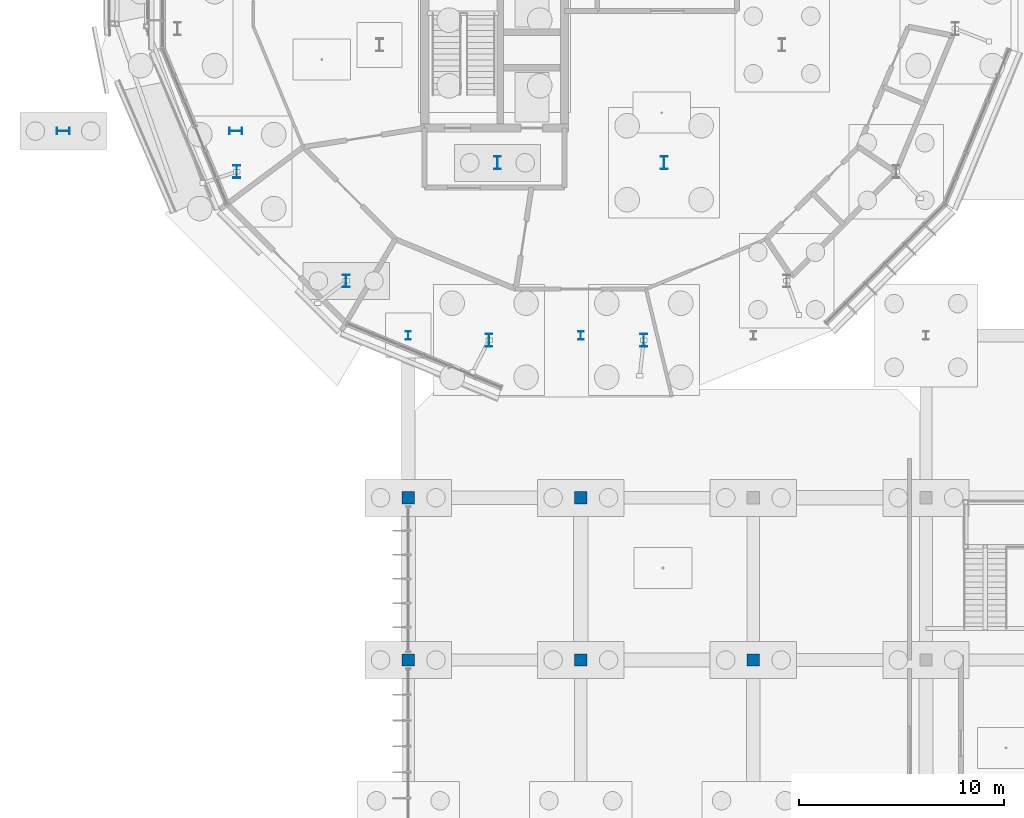
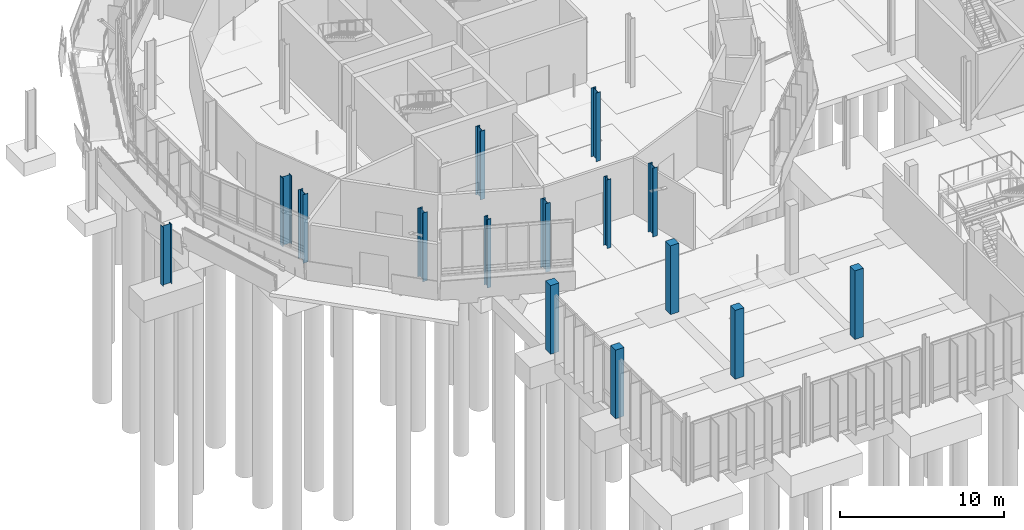
# One storey, part 11 of 119: 15 columns.
"""IFC4 building model written with IfcOpenShell, lengths in metres."""

from ifc_helpers import new_model, si_unit, derived_unit, direction, frame, origin, origin_2d, place, context, subcontext, project, spatial, rectangle, i_section, extrude, material, material_profile, profile_set, type_object, element, save


model = new_model("IFC4")

# Units and contexts
model_context = context("Model", 3, precision=1e-05, world=origin(), true_north=direction((0.0, 1.0)))
body_context = subcontext(model_context, "Body", "Model", "MODEL_VIEW")
ifc_project = project(units=[si_unit("LENGTHUNIT", "METRE"), si_unit("AREAUNIT", "SQUARE_METRE"), si_unit("VOLUMEUNIT", "CUBIC_METRE"), si_unit("PLANEANGLEUNIT", "RADIAN"), si_unit("MASSUNIT", "GRAM", prefix="KILO"), derived_unit("THERMALTRANSMITTANCEUNIT", [(si_unit("MASSUNIT", "GRAM", prefix="KILO"), 1), (si_unit("TIMEUNIT", "SECOND"), -3), (si_unit("THERMODYNAMICTEMPERATUREUNIT", "KELVIN"), -1)])], contexts=[model_context])

# Site, building, storey
site_placement = place(None, origin())
site = spatial("IfcSite", under=ifc_project, at=site_placement, CompositionType="ELEMENT")
building_placement = place(site_placement, origin())
building = spatial("IfcBuilding", under=site, at=building_placement, Name="Makaiwela Harbour Ferry Terminal", CompositionType="ELEMENT")
storey_placement = place(building_placement, origin())
storey = spatial("IfcBuildingStorey", under=building, at=storey_placement, Name="L00", CompositionType="ELEMENT", Elevation=0.0)

# Columns
ifc_material_1 = material(Name="Concrete f'c 45 MPa (6500 psi)", Category="concrete")
ifc_material_profile_1 = material_profile(ifc_material_1, rectangle(XDim=0.60009765625, YDim=0.60009765625, at=origin_2d()), Name="RC-600X600")
ifc_profile_set_1 = profile_set([ifc_material_profile_1], Name="Concrete f'c 45 MPa (6500 psi)")
column_type_1 = type_object("IfcColumnType", Name="STR-COL-RC600", PredefinedType="COLUMN", material=ifc_profile_set_1)
for number, where, z_axis, x_axis, name in (
    (1, (29.39990234375, 33.60009765625, 0.0), (0.0, 0.0, 1.0), (1.0, 0.0, 0.0), "Structural Column C-09"),
    (2, (29.39990234375, 41.5, 0.0), (0.0, 0.0, 1.0), (1.0, 0.0, 0.0), "Structural Column C-09"),
    (3, (37.800048828125, 33.60009765625, 0.0), (0.0, 0.0, 1.0), (1.0, 0.0, 0.0), "Structural Column C-09"),
    (4, (37.800048828125, 41.5, 0.0), (0.0, 0.0, 1.0), (1.0, 0.0, 0.0), "Structural Column C-09"),
    (5, (46.199951171875, 33.60009765625, 0.0), (0.0, 0.0, 1.0), (1.0, 0.0, 0.0), "Structural Column C-09"),
):
    element("IfcColumn", number, at=place(storey_placement, frame(where, z_axis=z_axis, x_axis=x_axis)), inside=storey, type_object=column_type_1, Name=name, PredefinedType="COLUMN", context=body_context, shape_type="SweptSolid", body=[
        extrude(rectangle(XDim=0.60009765625, YDim=0.60009765625, at=origin_2d()), origin(), (0.0, 0.0, 1.0), 5.10009765625),
    ])
ifc_material_2 = material(Name="Steel ASTM A992 Grade 50", Category="steel")
ifc_material_profile_2 = material_profile(ifc_material_2, i_section(OverallWidth=0.264892578125, OverallDepth=0.430908203125, WebThickness=0.014892578125, FlangeThickness=0.02490234375, at=origin_2d()), Name="W16X100")
ifc_profile_set_2 = profile_set([ifc_material_profile_2], Name="Steel ASTM A992 Grade 50")
column_type_2 = type_object("IfcColumnType", Name="STR-COL-W16X100", PredefinedType="COLUMN", material=ifc_profile_set_2)
for number, where, z_axis, x_axis, name in (
    (6, (29.39990234375, 49.39990234375, 0.0), (0.0, 0.0, 1.0), (1.0, 0.0, 0.0), "Structural Column C-03"),
    (7, (37.800048828125, 49.39990234375, 0.0), (0.0, 0.0, 1.0), (1.0, 0.0, 0.0), "Structural Column C-03"),
):
    element("IfcColumn", number, at=place(storey_placement, frame(where, z_axis=z_axis, x_axis=x_axis)), inside=storey, type_object=column_type_2, Name=name, PredefinedType="COLUMN", context=body_context, shape_type="SweptSolid", body=[
        extrude(i_section(OverallWidth=0.264892578125, OverallDepth=0.430908203125, WebThickness=0.014892578125, FlangeThickness=0.02490234375, at=origin_2d()), origin(), (0.0, 0.0, 1.0), 5.10009765625),
    ])
ifc_material_profile_3 = material_profile(ifc_material_2, i_section(OverallWidth=0.327880859375, OverallDepth=0.6279296875, WebThickness=0.0166015625, FlangeThickness=0.027587890625, at=origin_2d()), Name="W24X146")
ifc_profile_set_3 = profile_set([ifc_material_profile_3], Name="Steel ASTM A992 Grade 50")
column_type_3 = type_object("IfcColumnType", Name="STR-COL-W24X146", PredefinedType="COLUMN", material=ifc_profile_set_3)
for number, where, z_axis, x_axis, name in (
    (8, (33.74365234375, 57.806884765625, 0.0), (0.0, 0.0, 1.0), (1.0, 0.0, 0.0), "Structural Column C-01"),
    (9, (41.8564453125, 57.806884765625, 0.0), (0.0, 0.0, 1.0), (1.0, 0.0, 0.0), "Structural Column C-01"),
    (10, (21.052490234375, 57.37744140625, 0.0), (0.0, 0.0, 1.0), (1.0, 0.0, 0.0), "Structural Column C-01"),
    (11, (26.37744140625, 52.052490234375, 0.0), (0.0, 0.0, 1.0), (1.0, 0.0, 0.0), "Structural Column C-01"),
    (12, (33.334716796875, 49.1708984375, 0.0), (0.0, 0.0, 1.0), (1.0, 0.0, 0.0), "Structural Column C-01"),
    (13, (40.865234375, 49.1708984375, 0.0), (0.0, 0.0, 1.0), (1.0, 0.0, 0.0), "Structural Column C-01"),
    (14, (21.0, 59.35009765625, 0.0), (0.0, 0.0, 1.0), (0.0, 1.0, 0.0), "Structural Column C-01"),
):
    element("IfcColumn", number, at=place(storey_placement, frame(where, z_axis=z_axis, x_axis=x_axis)), inside=storey, type_object=column_type_3, Name=name, PredefinedType="COLUMN", context=body_context, shape_type="SweptSolid", body=[
        extrude(i_section(OverallWidth=0.327880859375, OverallDepth=0.6279296875, WebThickness=0.0166015625, FlangeThickness=0.027587890625, at=origin_2d()), origin(), (0.0, 0.0, 1.0), 5.10009765625),
    ])
column_placement = place(storey_placement, frame((12.60009765625, 59.35009765625, 0.0), z_axis=(0.0, 0.0, 1.0), x_axis=(0.0, 1.0, 0.0)))
element("IfcColumn", 15, at=column_placement, inside=storey, type_object=column_type_3, Name="Structural Column C-01", PredefinedType="COLUMN", context=body_context, shape_type="SweptSolid", body=[
    extrude(i_section(OverallWidth=0.327880859375, OverallDepth=0.6279296875, WebThickness=0.0166015625, FlangeThickness=0.027587890625, at=origin_2d()), origin(), (0.0, 0.0, 1.0), 4.39990234375),
])

save(model, "model.ifc")
